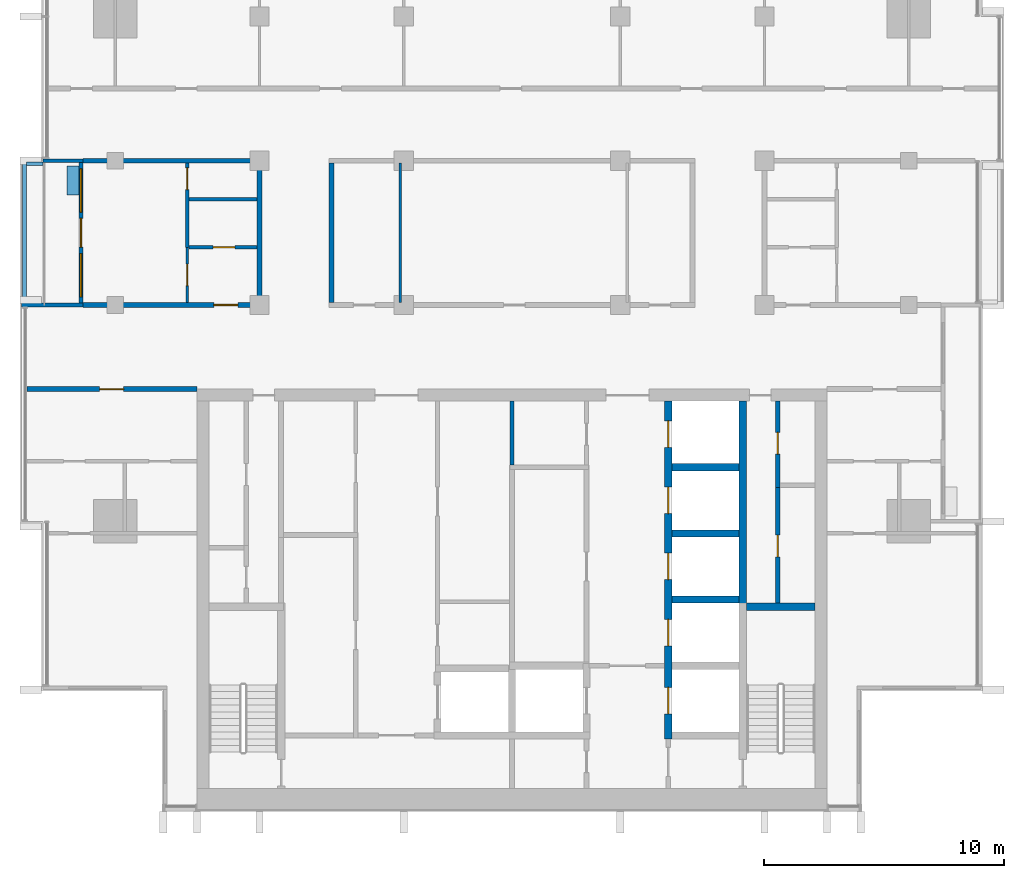
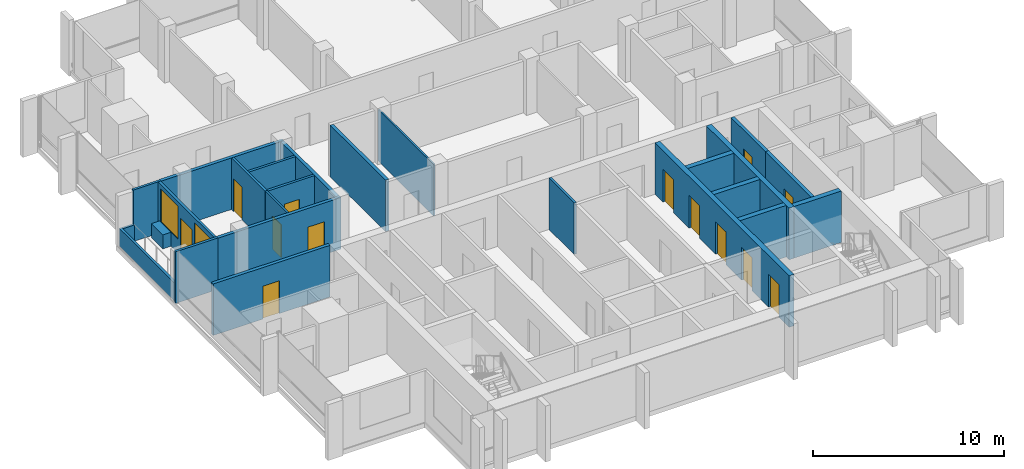
# One storey, part 8 of 15: 25 walls, 13 doors, 2 windows, 15 openings.
"""IFC4 building model written with IfcOpenShell, lengths in metres."""

from ifc_helpers import new_model, si_unit, direction, frame, frame_2d, origin, place, context, subcontext, project, spatial, rectangle, extrude, material, layer, layer_set, type_object, element, fill, save


model = new_model("IFC4")

# Units and contexts
model_context = context("Model", 3, precision=1e-05, world=origin(), true_north=direction((0.0, 1.0)))
body_context = subcontext(model_context, "Body", "Model", "MODEL_VIEW")
ifc_project = project(units=[si_unit("LENGTHUNIT", "METRE"), si_unit("AREAUNIT", "SQUARE_METRE"), si_unit("VOLUMEUNIT", "CUBIC_METRE"), si_unit("PLANEANGLEUNIT", "RADIAN"), si_unit("MASSUNIT", "GRAM", prefix="KILO")], contexts=[model_context])

# Site, building, storey
site_placement = place(None, origin())
site = spatial("IfcSite", under=ifc_project, at=site_placement, CompositionType="ELEMENT")
building_placement = place(site_placement, origin())
building = spatial("IfcBuilding", under=site, at=building_placement, Name="Finial Court Residences", CompositionType="ELEMENT")
storey_placement = place(building_placement, frame((0.0, 0.0, 266.300048828125)))
storey = spatial("IfcBuildingStorey", under=building, at=storey_placement, Name="L67", CompositionType="ELEMENT", Elevation=266.300048828125)

# Wall
ifc_material_1 = material(Name="Fire-rated gypsum board partition")
ifc_layer_1 = layer(ifc_material_1, 0.14990234375)
ifc_layer_set_1 = layer_set([ifc_layer_1], Name="Core room partition 150 EI 60")
wall_type_1 = type_object("IfcWallType", Name="Core room partition 150 EI 60", PredefinedType="PARTITIONING", material=ifc_layer_set_1)
wall_1_placement = place(storey_placement, frame((0.0, -11.14990234375, 0.0), z_axis=(0.0, 0.0, 1.0), x_axis=(0.0, 1.0, 0.0)))
element("IfcWall", 1, at=wall_1_placement, inside=storey, type_object=wall_type_1, Name="Core partition L67-31", PredefinedType="PARTITIONING", context=body_context, shape_type="SweptSolid", body=[
    extrude(rectangle(XDim=2.64990234375, YDim=0.14990234375, at=frame_2d((1.324951171875, 0.0))), origin(), (0.0, 0.0, 1.0), 3.300048828125),
])

# Wall, opening, door
ifc_material_2 = material(Name="Gypsum board")
ifc_layer_2 = layer(ifc_material_2, 0.02490234375)
ifc_material_3 = material(Name="Acoustic mineral wool in double frame")
ifc_layer_3 = layer(ifc_material_3, 0.14990234375)
ifc_layer_4 = layer(ifc_material_2, 0.02490234375)
ifc_layer_set_2 = layer_set([ifc_layer_2, ifc_layer_3, ifc_layer_4], Name="Corridor wall 200, 1 hour")
wall_type_2 = type_object("IfcWallType", Name="Corridor wall 200, 1 hour", PredefinedType="PARTITIONING", material=ifc_layer_set_2)
wall_2_placement = place(storey_placement, frame((-20.16259765625, -8.0, 0.0), z_axis=(0.0, 0.0, 1.0), x_axis=(1.0, 0.0, 0.0)))
wall_2 = element("IfcWall", 2, at=wall_2_placement, inside=storey, type_object=wall_type_2, Name="Partition L67-004", PredefinedType="PARTITIONING", context=body_context, shape_type="SweptSolid", body=[
    extrude(rectangle(XDim=7.0625, YDim=0.199951171875, at=frame_2d((3.53125, 0.0))), origin(), (0.0, 0.0, 1.0), 3.300048828125),
])
opening_1_placement = place(wall_2_placement, frame((3.012939453125, 0.0, 0.0)))
opening_1 = element("IfcOpeningElement", 3, at=opening_1_placement, cuts=wall_2, Name="Opening L67-D007", PredefinedType="OPENING", context=body_context, shape_type="SweptSolid", body=[
    extrude(rectangle(XDim=1.0, YDim=2.10009765625, at=frame_2d((0.5, 1.050048828125))), frame((0.0, 0.10986328125, 0.0), z_axis=(0.0, -1.0, 0.0), x_axis=(1.0, 0.0, 0.0)), (0.0, 0.0, 1.0), 0.219970703125),
])
ifc_material_4 = material(Name="Timber door leaf in hollow metal frame", Category="wood")
door_type_1 = type_object("IfcDoorType", Name="Fire door set 1000 x 2100, 30 minutes", OperationType="SINGLE_SWING_LEFT", PredefinedType="DOOR", material=ifc_material_4)
door_1_placement = place(opening_1_placement, origin())
door_1 = element("IfcDoor", 4, at=door_1_placement, inside=storey, type_object=door_type_1, Name="Door L67-D007", OperationType="SINGLE_SWING_LEFT", OverallHeight=2.10009765625, OverallWidth=1.0, PredefinedType="DOOR", context=body_context, shape_type="SweptSolid", body=[
    extrude(rectangle(XDim=1.0, YDim=2.10009765625, at=frame_2d((0.5, 1.050048828125))), frame((0.0, 0.02490234375, 0.0), z_axis=(0.0, -1.0, 0.0), x_axis=(1.0, 0.0, 0.0)), (0.0, 0.0, 1.0), 0.050048828125),
])
fill(opening_1, door_1)

wall_3_placement = place(storey_placement, frame((-17.85009765625, -4.5, 0.0), z_axis=(0.0, 0.0, 1.0), x_axis=(1.0, 0.0, 0.0)))
wall_3 = element("IfcWall", 5, at=wall_3_placement, inside=storey, type_object=wall_type_2, Name="Partition L67-006", PredefinedType="PARTITIONING", context=body_context, shape_type="SweptSolid", body=[
    extrude(rectangle(XDim=7.4501953125, YDim=0.199951171875, at=frame_2d((3.72509765625, 0.0))), origin(), (0.0, 0.0, 1.0), 3.300048828125),
])
opening_2_placement = place(wall_3_placement, frame((5.449951171875, 0.0, 0.0)))
opening_2 = element("IfcOpeningElement", 6, at=opening_2_placement, cuts=wall_3, Name="Opening L67-D009", PredefinedType="OPENING", context=body_context, shape_type="SweptSolid", body=[
    extrude(rectangle(XDim=1.0, YDim=2.10009765625, at=frame_2d((0.5, 1.050048828125))), frame((0.0, 0.10986328125, 0.0), z_axis=(0.0, -1.0, 0.0), x_axis=(1.0, 0.0, 0.0)), (0.0, 0.0, 1.0), 0.219970703125),
])
door_2_placement = place(opening_2_placement, origin())
door_2 = element("IfcDoor", 7, at=door_2_placement, inside=storey, type_object=door_type_1, Name="Door L67-D009", OperationType="SINGLE_SWING_LEFT", OverallHeight=2.10009765625, OverallWidth=1.0, PredefinedType="DOOR", context=body_context, shape_type="SweptSolid", body=[
    extrude(rectangle(XDim=1.0, YDim=2.10009765625, at=frame_2d((0.5, 1.050048828125))), frame((0.0, 0.02490234375, 0.0), z_axis=(0.0, -1.0, 0.0), x_axis=(1.0, 0.0, 0.0)), (0.0, 0.0, 1.0), 0.050048828125),
])
fill(opening_2, door_2)

# Walls
wall_4_placement = place(storey_placement, frame((-17.85009765625, 1.5, 0.0), z_axis=(0.0, 0.0, 1.0), x_axis=(1.0, 0.0, 0.0)))
element("IfcWall", 8, at=wall_4_placement, inside=storey, type_object=wall_type_2, Name="Partition L67-013", PredefinedType="PARTITIONING", context=body_context, shape_type="SweptSolid", body=[
    extrude(rectangle(XDim=7.4501953125, YDim=0.199951171875, at=frame_2d((3.72509765625, 0.0))), origin(), (0.0, 0.0, 1.0), 3.300048828125),
])
for number, where, z_axis, x_axis, name in (
    (9, (-10.5, -4.39990234375, 0.0), (0.0, 0.0, 1.0), (0.0, 1.0, 0.0), "Partition L67-021"),
    (10, (-7.5, -4.39990234375, 0.0), (0.0, 0.0, 1.0), (0.0, 1.0, 0.0), "Partition L67-023"),
):
    element("IfcWall", number, at=place(storey_placement, frame(where, z_axis=z_axis, x_axis=x_axis)), inside=storey, type_object=wall_type_2, Name=name, PredefinedType="PARTITIONING", context=body_context, shape_type="SweptSolid", body=[
        extrude(rectangle(XDim=5.7998046875, YDim=0.199951171875, at=frame_2d((2.89990234375, 0.0))), origin(), (0.0, 0.0, 1.0), 3.300048828125),
    ])

# Wall, opening, door
ifc_layer_5 = layer(ifc_material_2, 0.012451171875)
ifc_material_5 = material(Name="Mineral wool in light-gauge frame")
ifc_layer_6 = layer(ifc_material_5, 0.074951171875)
ifc_layer_7 = layer(ifc_material_2, 0.012451171875)
ifc_layer_set_3 = layer_set([ifc_layer_5, ifc_layer_6, ifc_layer_7], Name="Gypsum board partition 100")
wall_type_3 = type_object("IfcWallType", Name="Gypsum board partition 100", PredefinedType="PARTITIONING", material=ifc_layer_set_3)
wall_5_placement = place(storey_placement, frame((-13.5, -4.39990234375, 0.0), z_axis=(0.0, 0.0, 1.0), x_axis=(0.0, 1.0, 0.0)))
wall_5 = element("IfcWall", 11, at=wall_5_placement, inside=storey, type_object=wall_type_3, Name="Partition L67-019", PredefinedType="PARTITIONING", context=body_context, shape_type="SweptSolid", body=[
    extrude(rectangle(XDim=2.2998046875, YDim=0.10009765625, at=frame_2d((1.14990234375, 0.0))), origin(), (0.0, 0.0, 1.0), 3.300048828125),
])
opening_3_placement = place(wall_5_placement, frame((0.699951171875, 0.0, 0.0)))
opening_3 = element("IfcOpeningElement", 12, at=opening_3_placement, cuts=wall_5, Name="Opening L67-D023", PredefinedType="OPENING", context=body_context, shape_type="SweptSolid", body=[
    extrude(rectangle(XDim=0.89990234375, YDim=2.10009765625, at=frame_2d((0.449951171875, 1.050048828125))), frame((0.0, 0.06005859375, 0.0), z_axis=(0.0, -1.0, 0.0), x_axis=(1.0, 0.0, 0.0)), (0.0, 0.0, 1.0), 0.1201171875),
])
ifc_material_6 = material(Name="Timber door leaf in timber frame", Category="wood")
door_type_2 = type_object("IfcDoorType", Name="Door set 900 x 2100", OperationType="SINGLE_SWING_LEFT", PredefinedType="DOOR", material=ifc_material_6)
door_3_placement = place(opening_3_placement, origin())
door_3 = element("IfcDoor", 13, at=door_3_placement, inside=storey, type_object=door_type_2, Name="Door L67-D023", OperationType="SINGLE_SWING_LEFT", OverallHeight=2.10009765625, OverallWidth=0.89990234375, PredefinedType="DOOR", context=body_context, shape_type="SweptSolid", body=[
    extrude(rectangle(XDim=0.89990234375, YDim=2.10009765625, at=frame_2d((0.449951171875, 1.050048828125))), frame((0.0, 0.02490234375, 0.0), z_axis=(0.0, -1.0, 0.0), x_axis=(1.0, 0.0, 0.0)), (0.0, 0.0, 1.0), 0.050048828125),
])
fill(opening_3, door_3)

# Wall
wall_6_placement = place(storey_placement, frame((-4.64990234375, -4.39990234375, 0.0), z_axis=(0.0, 0.0, 1.0), x_axis=(0.0, 1.0, 0.0)))
element("IfcWall", 14, at=wall_6_placement, inside=storey, type_object=wall_type_3, Name="Partition L67-024", PredefinedType="PARTITIONING", context=body_context, shape_type="SweptSolid", body=[
    extrude(rectangle(XDim=5.7998046875, YDim=0.10009765625, at=frame_2d((2.89990234375, 0.0))), origin(), (0.0, 0.0, 1.0), 3.300048828125),
])

# Wall, opening, door
ifc_material_7 = material(Name="Moisture-resistant gypsum board")
ifc_layer_8 = layer(ifc_material_7, 0.012451171875)
ifc_layer_9 = layer(ifc_material_5, 0.125)
ifc_layer_10 = layer(ifc_material_7, 0.012451171875)
ifc_layer_set_4 = layer_set([ifc_layer_8, ifc_layer_9, ifc_layer_10], Name="Gypsum board wet-area partition 150")
wall_type_4 = type_object("IfcWallType", Name="Gypsum board wet-area partition 150", PredefinedType="PARTITIONING", material=ifc_layer_set_4)
wall_7_placement = place(storey_placement, frame((-13.425048828125, -2.10009765625, 0.0), z_axis=(0.0, 0.0, 1.0), x_axis=(1.0, 0.0, 0.0)))
wall_7 = element("IfcWall", 15, at=wall_7_placement, inside=storey, type_object=wall_type_4, Name="Partition L67-009", PredefinedType="PARTITIONING", context=body_context, shape_type="SweptSolid", body=[
    extrude(rectangle(XDim=2.824951171875, YDim=0.14990234375, at=frame_2d((1.41259765625, 0.0))), origin(), (0.0, 0.0, 1.0), 3.300048828125),
])
opening_4_placement = place(wall_7_placement, frame((1.0, 0.0, 0.0)))
opening_4 = element("IfcOpeningElement", 16, at=opening_4_placement, cuts=wall_7, Name="Opening L67-D014", PredefinedType="OPENING", context=body_context, shape_type="SweptSolid", body=[
    extrude(rectangle(XDim=0.89990234375, YDim=2.10009765625, at=frame_2d((0.449951171875, 1.050048828125))), frame((0.0, 0.0849609375, 0.0), z_axis=(0.0, -1.0, 0.0), x_axis=(1.0, 0.0, 0.0)), (0.0, 0.0, 1.0), 0.169921875),
])
door_4_placement = place(opening_4_placement, origin())
door_4 = element("IfcDoor", 17, at=door_4_placement, inside=storey, type_object=door_type_2, Name="Door L67-D014", OperationType="SINGLE_SWING_RIGHT", OverallHeight=2.10009765625, OverallWidth=0.89990234375, PredefinedType="DOOR", context=body_context, shape_type="SweptSolid", body=[
    extrude(rectangle(XDim=0.89990234375, YDim=2.10009765625, at=frame_2d((0.449951171875, 1.050048828125))), frame((0.0, 0.02490234375, 0.0), z_axis=(0.0, -1.0, 0.0), x_axis=(1.0, 0.0, 0.0)), (0.0, 0.0, 1.0), 0.050048828125),
])
fill(opening_4, door_4)

# Wall
wall_8_placement = place(storey_placement, frame((-13.425048828125, -0.10009765625, 0.0), z_axis=(0.0, 0.0, 1.0), x_axis=(1.0, 0.0, 0.0)))
element("IfcWall", 18, at=wall_8_placement, inside=storey, type_object=wall_type_4, Name="Partition L67-011", PredefinedType="PARTITIONING", context=body_context, shape_type="SweptSolid", body=[
    extrude(rectangle(XDim=2.824951171875, YDim=0.14990234375, at=frame_2d((1.41259765625, 0.0))), origin(), (0.0, 0.0, 1.0), 3.300048828125),
])

# Wall, opening, door
wall_9_placement = place(storey_placement, frame((-13.5, -2.10009765625, 0.0), z_axis=(0.0, 0.0, 1.0), x_axis=(0.0, 1.0, 0.0)))
wall_9 = element("IfcWall", 19, at=wall_9_placement, inside=storey, type_object=wall_type_4, Name="Partition L67-020", PredefinedType="PARTITIONING", context=body_context, shape_type="SweptSolid", body=[
    extrude(rectangle(XDim=3.5, YDim=0.14990234375, at=frame_2d((1.75, 0.0))), origin(), (0.0, 0.0, 1.0), 3.300048828125),
])
opening_5_placement = place(wall_9_placement, frame((2.39990234375, 0.0, 0.0)))
opening_5 = element("IfcOpeningElement", 20, at=opening_5_placement, cuts=wall_9, Name="Opening L67-D024", PredefinedType="OPENING", context=body_context, shape_type="SweptSolid", body=[
    extrude(rectangle(XDim=0.89990234375, YDim=2.10009765625, at=frame_2d((0.449951171875, 1.050048828125))), frame((0.0, 0.0849609375, 0.0), z_axis=(0.0, -1.0, 0.0), x_axis=(1.0, 0.0, 0.0)), (0.0, 0.0, 1.0), 0.169921875),
])
door_5_placement = place(opening_5_placement, origin())
door_5 = element("IfcDoor", 21, at=door_5_placement, inside=storey, type_object=door_type_2, Name="Door L67-D024", OperationType="SINGLE_SWING_RIGHT", OverallHeight=2.10009765625, OverallWidth=0.89990234375, PredefinedType="DOOR", context=body_context, shape_type="SweptSolid", body=[
    extrude(rectangle(XDim=0.89990234375, YDim=2.10009765625, at=frame_2d((0.449951171875, 1.050048828125))), frame((0.0, 0.02490234375, 0.0), z_axis=(0.0, -1.0, 0.0), x_axis=(1.0, 0.0, 0.0)), (0.0, 0.0, 1.0), 0.050048828125),
])
fill(opening_5, door_5)

# Walls
ifc_material_8 = material(Name="Concrete C35/45", Category="concrete")
ifc_layer_11 = layer(ifc_material_8, 0.14990234375)
ifc_layer_set_5 = layer_set([ifc_layer_11], Name="Ledge parapet, Concrete C35/45 150")
wall_type_5 = type_object("IfcWallType", Name="Ledge parapet, Concrete C35/45 150", PredefinedType="PARAPET", material=ifc_layer_set_5)
wall_10_placement = place(storey_placement, frame((-20.27490234375, -4.489990234375, 0.0), z_axis=(0.0, 0.0, 1.0), x_axis=(0.0, 1.0, 0.0)))
element("IfcWall", 22, at=wall_10_placement, inside=storey, type_object=wall_type_5, Name="E-L67-LED1-P1", PredefinedType="PARAPET", context=body_context, shape_type="SweptSolid", body=[
    extrude(rectangle(XDim=5.93994140625, YDim=0.14990234375, at=frame_2d((2.969970703125, 0.0))), origin(), (0.0, 0.0, 1.0), 1.14990234375),
])
wall_11_placement = place(storey_placement, frame((-20.199951171875, 1.375, 0.0), z_axis=(0.0, 0.0, 1.0), x_axis=(1.0, 0.0, 0.0)))
element("IfcWall", 23, at=wall_11_placement, inside=storey, type_object=wall_type_5, Name="E-L67-LED1-P2", PredefinedType="PARAPET", context=body_context, shape_type="SweptSolid", body=[
    extrude(rectangle(XDim=0.68994140625, YDim=0.14990234375, at=frame_2d((0.344970703125, 0.0))), origin(), (0.0, 0.0, 1.0), 1.14990234375),
])
ifc_material_9 = material(Name="Concrete C50/60", Category="concrete")
ifc_layer_12 = layer(ifc_material_9, 0.300048828125)
ifc_layer_set_6 = layer_set([ifc_layer_12], Name="Lift shaft and stair wall 300 Concrete C50/60")
wall_type_6 = type_object("IfcWallType", Name="Lift shaft and stair wall 300 Concrete C50/60", PredefinedType="SHEAR", material=ifc_layer_set_6)
wall_12_placement = place(storey_placement, frame((9.75, -17.050048828125, 0.0), z_axis=(0.0, 0.0, 1.0), x_axis=(1.0, 0.0, 0.0)))
element("IfcWall", 24, at=wall_12_placement, inside=storey, type_object=wall_type_6, Name="Core wall L67-10", PredefinedType="SHEAR", context=body_context, shape_type="SweptSolid", body=[
    extrude(rectangle(XDim=2.85009765625, YDim=0.300048828125, at=frame_2d((1.425048828125, 0.0))), origin(), (0.0, 0.0, 1.0), 3.300048828125),
])
for number, where, z_axis, x_axis, name in (
    (25, (6.64990234375, -16.75, 0.0), (0.0, 0.0, 1.0), (1.0, 0.0, 0.0), "Core wall L67-12"),
    (26, (6.64990234375, -14.0, 0.0), (0.0, 0.0, 1.0), (1.0, 0.0, 0.0), "Core wall L67-15"),
    (27, (6.64990234375, -11.25, 0.0), (0.0, 0.0, 1.0), (1.0, 0.0, 0.0), "Core wall L67-18"),
):
    element("IfcWall", number, at=place(storey_placement, frame(where, z_axis=z_axis, x_axis=x_axis)), inside=storey, type_object=wall_type_6, Name=name, PredefinedType="SHEAR", context=body_context, shape_type="SweptSolid", body=[
        extrude(rectangle(XDim=2.800048828125, YDim=0.300048828125, at=frame_2d((1.39990234375, 0.0))), origin(), (0.0, 0.0, 1.0), 3.300048828125),
    ])

# Wall, openings, doors
wall_13_placement = place(storey_placement, frame((6.5, -22.550048828125, 0.0), z_axis=(0.0, 0.0, 1.0), x_axis=(0.0, 1.0, 0.0)))
wall_13 = element("IfcWall", 28, at=wall_13_placement, inside=storey, type_object=wall_type_6, Name="Core wall L67-37", PredefinedType="SHEAR", context=body_context, shape_type="SweptSolid", body=[
    extrude(rectangle(XDim=14.050048828125, YDim=0.300048828125, at=frame_2d((7.02490234375, 0.0))), origin(), (0.0, 0.0, 1.0), 3.300048828125),
])
opening_6_placement = place(wall_13_placement, frame((1.050048828125, 0.0, 0.0)))
opening_6 = element("IfcOpeningElement", 29, at=opening_6_placement, cuts=wall_13, Name="Opening L67-LD02", PredefinedType="OPENING", context=body_context, shape_type="SweptSolid", body=[
    extrude(rectangle(XDim=1.10009765625, YDim=2.10009765625, at=frame_2d((0.550048828125, 1.050048828125))), frame((0.0, 0.159912109375, 0.0), z_axis=(0.0, -1.0, 0.0), x_axis=(1.0, 0.0, 0.0)), (0.0, 0.0, 1.0), 0.320068359375),
])
opening_7_placement = place(wall_13_placement, frame((3.875, 0.0, 0.0)))
opening_7 = element("IfcOpeningElement", 30, at=opening_7_placement, cuts=wall_13, Name="Opening L67-LD03", PredefinedType="OPENING", context=body_context, shape_type="SweptSolid", body=[
    extrude(rectangle(XDim=1.10009765625, YDim=2.10009765625, at=frame_2d((0.550048828125, 1.050048828125))), frame((0.0, 0.159912109375, 0.0), z_axis=(0.0, -1.0, 0.0), x_axis=(1.0, 0.0, 0.0)), (0.0, 0.0, 1.0), 0.320068359375),
])
opening_8_placement = place(wall_13_placement, frame((6.625, 0.0, 0.0)))
opening_8 = element("IfcOpeningElement", 31, at=opening_8_placement, cuts=wall_13, Name="Opening L67-LD04", PredefinedType="OPENING", context=body_context, shape_type="SweptSolid", body=[
    extrude(rectangle(XDim=1.10009765625, YDim=2.10009765625, at=frame_2d((0.550048828125, 1.050048828125))), frame((0.0, 0.159912109375, 0.0), z_axis=(0.0, -1.0, 0.0), x_axis=(1.0, 0.0, 0.0)), (0.0, 0.0, 1.0), 0.320068359375),
])
opening_9_placement = place(wall_13_placement, frame((9.375, 0.0, 0.0)))
opening_9 = element("IfcOpeningElement", 32, at=opening_9_placement, cuts=wall_13, Name="Opening L67-LD05", PredefinedType="OPENING", context=body_context, shape_type="SweptSolid", body=[
    extrude(rectangle(XDim=1.10009765625, YDim=2.10009765625, at=frame_2d((0.550048828125, 1.050048828125))), frame((0.0, 0.159912109375, 0.0), z_axis=(0.0, -1.0, 0.0), x_axis=(1.0, 0.0, 0.0)), (0.0, 0.0, 1.0), 0.320068359375),
])
opening_10_placement = place(wall_13_placement, frame((12.125, 0.0, 0.0)))
opening_10 = element("IfcOpeningElement", 33, at=opening_10_placement, cuts=wall_13, Name="Opening L67-LD06", PredefinedType="OPENING", context=body_context, shape_type="SweptSolid", body=[
    extrude(rectangle(XDim=1.10009765625, YDim=2.10009765625, at=frame_2d((0.550048828125, 1.050048828125))), frame((0.0, 0.159912109375, 0.0), z_axis=(0.0, -1.0, 0.0), x_axis=(1.0, 0.0, 0.0)), (0.0, 0.0, 1.0), 0.320068359375),
])
ifc_material_10 = material(Name="Stainless steel lift door", Category="steel")
door_type_3 = type_object("IfcDoorType", Name="Lift landing door 1100 x 2100 EI 90", OperationType="DOUBLE_DOOR_SLIDING", PredefinedType="DOOR", material=ifc_material_10)
door_6_placement = place(opening_6_placement, origin())
door_6 = element("IfcDoor", 34, at=door_6_placement, inside=storey, type_object=door_type_3, Name="Lift landing door FF2 L67", OperationType="DOUBLE_DOOR_SLIDING", OverallHeight=2.10009765625, OverallWidth=1.10009765625, PredefinedType="DOOR", context=body_context, shape_type="SweptSolid", body=[
    extrude(rectangle(XDim=1.10009765625, YDim=2.10009765625, at=frame_2d((0.550048828125, 1.050048828125))), frame((0.0, 0.02490234375, 0.0), z_axis=(0.0, -1.0, 0.0), x_axis=(1.0, 0.0, 0.0)), (0.0, 0.0, 1.0), 0.050048828125),
])
fill(opening_6, door_6)
door_7_placement = place(opening_7_placement, origin())
door_7 = element("IfcDoor", 35, at=door_7_placement, inside=storey, type_object=door_type_3, Name="Lift landing door HR5 L67", OperationType="DOUBLE_DOOR_SLIDING", OverallHeight=2.10009765625, OverallWidth=1.10009765625, PredefinedType="DOOR", context=body_context, shape_type="SweptSolid", body=[
    extrude(rectangle(XDim=1.10009765625, YDim=2.10009765625, at=frame_2d((0.550048828125, 1.050048828125))), frame((0.0, 0.02490234375, 0.0), z_axis=(0.0, -1.0, 0.0), x_axis=(1.0, 0.0, 0.0)), (0.0, 0.0, 1.0), 0.050048828125),
])
fill(opening_7, door_7)
door_8_placement = place(opening_8_placement, origin())
door_8 = element("IfcDoor", 36, at=door_8_placement, inside=storey, type_object=door_type_3, Name="Lift landing door HR6 L67", OperationType="DOUBLE_DOOR_SLIDING", OverallHeight=2.10009765625, OverallWidth=1.10009765625, PredefinedType="DOOR", context=body_context, shape_type="SweptSolid", body=[
    extrude(rectangle(XDim=1.10009765625, YDim=2.10009765625, at=frame_2d((0.550048828125, 1.050048828125))), frame((0.0, 0.02490234375, 0.0), z_axis=(0.0, -1.0, 0.0), x_axis=(1.0, 0.0, 0.0)), (0.0, 0.0, 1.0), 0.050048828125),
])
fill(opening_8, door_8)
door_9_placement = place(opening_9_placement, origin())
door_9 = element("IfcDoor", 37, at=door_9_placement, inside=storey, type_object=door_type_3, Name="Lift landing door HR7 L67", OperationType="DOUBLE_DOOR_SLIDING", OverallHeight=2.10009765625, OverallWidth=1.10009765625, PredefinedType="DOOR", context=body_context, shape_type="SweptSolid", body=[
    extrude(rectangle(XDim=1.10009765625, YDim=2.10009765625, at=frame_2d((0.550048828125, 1.050048828125))), frame((0.0, 0.02490234375, 0.0), z_axis=(0.0, -1.0, 0.0), x_axis=(1.0, 0.0, 0.0)), (0.0, 0.0, 1.0), 0.050048828125),
])
fill(opening_9, door_9)
door_10_placement = place(opening_10_placement, origin())
door_10 = element("IfcDoor", 38, at=door_10_placement, inside=storey, type_object=door_type_3, Name="Lift landing door HR8 L67", OperationType="DOUBLE_DOOR_SLIDING", OverallHeight=2.10009765625, OverallWidth=1.10009765625, PredefinedType="DOOR", context=body_context, shape_type="SweptSolid", body=[
    extrude(rectangle(XDim=1.10009765625, YDim=2.10009765625, at=frame_2d((0.550048828125, 1.050048828125))), frame((0.0, 0.02490234375, 0.0), z_axis=(0.0, -1.0, 0.0), x_axis=(1.0, 0.0, 0.0)), (0.0, 0.0, 1.0), 0.050048828125),
])
fill(opening_10, door_10)

# Walls
wall_14_placement = place(storey_placement, frame((9.60009765625, -17.199951171875, 0.0), z_axis=(0.0, 0.0, 1.0), x_axis=(0.0, 1.0, 0.0)))
element("IfcWall", 39, at=wall_14_placement, inside=storey, type_object=wall_type_6, Name="Core wall L67-39", PredefinedType="SHEAR", context=body_context, shape_type="SweptSolid", body=[
    extrude(rectangle(XDim=8.699951171875, YDim=0.300048828125, at=frame_2d((4.35009765625, 0.0))), origin(), (0.0, 0.0, 1.0), 3.300048828125),
])
ifc_material_11 = material(Name="Natural limestone", Category="masonry")
ifc_layer_13 = layer(ifc_material_11, 0.14990234375)
ifc_layer_set_7 = layer_set([ifc_layer_13], Name="Limestone clad wall 150")
wall_type_7 = type_object("IfcWallType", Name="Limestone clad wall 150", PredefinedType="SOLIDWALL", material=ifc_layer_set_7)
wall_15_placement = place(storey_placement, frame((-17.85009765625, -4.5, 0.0), z_axis=(0.0, 0.0, 1.0), x_axis=(-1.0, 0.0, 0.0)))
element("IfcWall", 40, at=wall_15_placement, inside=storey, type_object=wall_type_7, Name="E-L67-BALW3-P1", PredefinedType="SOLIDWALL", context=body_context, shape_type="SweptSolid", body=[
    extrude(rectangle(XDim=2.5498046875, YDim=0.14990234375, at=frame_2d((1.27490234375, 0.0))), origin(), (0.0, 0.0, 1.0), 3.300048828125),
])
wall_16_placement = place(storey_placement, frame((-17.85009765625, 1.5, 0.0), z_axis=(0.0, 0.0, 1.0), x_axis=(-1.0, 0.0, 0.0)))
element("IfcWall", 41, at=wall_16_placement, inside=storey, type_object=wall_type_7, Name="E-L67-BALW3-P2", PredefinedType="SOLIDWALL", context=body_context, shape_type="SweptSolid", body=[
    extrude(rectangle(XDim=1.64990234375, YDim=0.14990234375, at=frame_2d((0.824951171875, 0.0))), origin(), (0.0, 0.0, 1.0), 3.300048828125),
])

# Wall, openings, door, windows
wall_17_placement = place(storey_placement, frame((-17.925048828125, -4.425048828125, 0.0), z_axis=(0.0, 0.0, 1.0), x_axis=(0.0, 1.0, 0.0)))
wall_17 = element("IfcWall", 42, at=wall_17_placement, inside=storey, type_object=wall_type_7, Name="E-L67-L67-BALW3-W", PredefinedType="SOLIDWALL", context=body_context, shape_type="SweptSolid", body=[
    extrude(rectangle(XDim=5.85009765625, YDim=0.14990234375, at=frame_2d((2.925048828125, 0.0))), origin(), (0.0, 0.0, 1.0), 3.300048828125),
])
opening_11_placement = place(wall_17_placement, frame((2.324951171875, 0.0, 0.0)))
opening_11 = element("IfcOpeningElement", 43, at=opening_11_placement, cuts=wall_17, Name="Opening DE67-02", PredefinedType="OPENING", context=body_context, shape_type="SweptSolid", body=[
    extrude(rectangle(XDim=1.199951171875, YDim=2.39990234375, at=frame_2d((0.60009765625, 1.199951171875))), frame((0.0, 0.0849609375, 0.0), z_axis=(0.0, -1.0, 0.0), x_axis=(1.0, 0.0, 0.0)), (0.0, 0.0, 1.0), 0.169921875),
])
opening_12_placement = place(wall_17_placement, frame((0.262451171875, 0.0, 0.89990234375)))
opening_12 = element("IfcOpeningElement", 44, at=opening_12_placement, cuts=wall_17, Name="Opening WE67-13", PredefinedType="OPENING", context=body_context, shape_type="SweptSolid", body=[
    extrude(rectangle(XDim=1.800048828125, YDim=2.10009765625, at=frame_2d((0.89990234375, 1.050048828125))), frame((0.0, 0.0849609375, 0.0), z_axis=(0.0, -1.0, 0.0), x_axis=(1.0, 0.0, 0.0)), (0.0, 0.0, 1.0), 0.169921875),
])
opening_13_placement = place(wall_17_placement, frame((3.78759765625, 0.0, 0.89990234375)))
opening_13 = element("IfcOpeningElement", 45, at=opening_13_placement, cuts=wall_17, Name="Opening WE67-14", PredefinedType="OPENING", context=body_context, shape_type="SweptSolid", body=[
    extrude(rectangle(XDim=1.800048828125, YDim=2.10009765625, at=frame_2d((0.89990234375, 1.050048828125))), frame((0.0, 0.0849609375, 0.0), z_axis=(0.0, -1.0, 0.0), x_axis=(1.0, 0.0, 0.0)), (0.0, 0.0, 1.0), 0.169921875),
])
ifc_material_12 = material(Name="Bronze anodised aluminium", Category="aluminium")
door_type_4 = type_object("IfcDoorType", Name="Balcony door 1200 x 2400", OperationType="SINGLE_SWING_LEFT", PredefinedType="DOOR", material=ifc_material_12)
door_11_placement = place(opening_11_placement, origin())
door_11 = element("IfcDoor", 46, at=door_11_placement, inside=storey, type_object=door_type_4, Name="E-L67-L67-BALW3-W-D", OperationType="SINGLE_SWING_LEFT", OverallHeight=2.39990234375, OverallWidth=1.199951171875, PredefinedType="DOOR", context=body_context, shape_type="SweptSolid", body=[
    extrude(rectangle(XDim=1.199951171875, YDim=2.39990234375, at=frame_2d((0.60009765625, 1.199951171875))), frame((0.0, 0.02490234375, 0.0), z_axis=(0.0, -1.0, 0.0), x_axis=(1.0, 0.0, 0.0)), (0.0, 0.0, 1.0), 0.050048828125),
])
fill(opening_11, door_11)
ifc_material_13 = material(Name="Clear low-e glass", Category="glass")
window_type = type_object("IfcWindowType", Name="Balcony window 1800 x 2100", PartitioningType="SINGLE_PANEL", PredefinedType="WINDOW", material=ifc_material_13)
window_1_placement = place(opening_12_placement, origin())
window_1 = element("IfcWindow", 47, at=window_1_placement, inside=storey, type_object=window_type, Name="E-L67-L67-BALW3-W-W1", OverallHeight=2.10009765625, OverallWidth=1.800048828125, PartitioningType="SINGLE_PANEL", PredefinedType="WINDOW", context=body_context, shape_type="SweptSolid", body=[
    extrude(rectangle(XDim=1.800048828125, YDim=2.10009765625, at=frame_2d((0.89990234375, 1.050048828125))), frame((0.0, 0.030029296875, 0.0), z_axis=(0.0, -1.0, 0.0), x_axis=(1.0, 0.0, 0.0)), (0.0, 0.0, 1.0), 0.06005859375),
])
fill(opening_12, window_1)
window_2_placement = place(opening_13_placement, origin())
window_2 = element("IfcWindow", 48, at=window_2_placement, inside=storey, type_object=window_type, Name="E-L67-L67-BALW3-W-W2", OverallHeight=2.10009765625, OverallWidth=1.800048828125, PartitioningType="SINGLE_PANEL", PredefinedType="WINDOW", context=body_context, shape_type="SweptSolid", body=[
    extrude(rectangle(XDim=1.800048828125, YDim=2.10009765625, at=frame_2d((0.89990234375, 1.050048828125))), frame((0.0, 0.030029296875, 0.0), z_axis=(0.0, -1.0, 0.0), x_axis=(1.0, 0.0, 0.0)), (0.0, 0.0, 1.0), 0.06005859375),
])
fill(opening_13, window_2)

# Wall
ifc_material_14 = material(Name="Concrete C40/50", Category="concrete")
ifc_layer_14 = layer(ifc_material_14, 0.10009765625)
ifc_material_15 = material(Name="Planting soil", Category="soil")
ifc_layer_15 = layer(ifc_material_15, 0.300048828125)
ifc_layer_16 = layer(ifc_material_14, 0.10009765625)
ifc_layer_set_8 = layer_set([ifc_layer_14, ifc_layer_15, ifc_layer_16], Name="Planter wall, balcony")
wall_type_8 = type_object("IfcWallType", Name="Planter wall, balcony", PredefinedType="USERDEFINED", material=ifc_layer_set_8)
wall_18_placement = place(storey_placement, frame((-18.25, 0.074951171875, 0.0), z_axis=(0.0, 0.0, 1.0), x_axis=(0.0, 1.0, 0.0)))
element("IfcWall", 49, at=wall_18_placement, inside=storey, type_object=wall_type_8, Name="E-L67-BALW3-PL", ObjectType="PLANTER", PredefinedType="USERDEFINED", context=body_context, shape_type="SweptSolid", body=[
    extrude(rectangle(XDim=1.199951171875, YDim=0.5, at=frame_2d((0.60009765625, 0.0))), origin(), (0.0, 0.0, 1.0), 0.89990234375),
])

# Wall, opening, door
ifc_layer_17 = layer(ifc_material_1, 0.199951171875)
ifc_layer_set_9 = layer_set([ifc_layer_17], Name="Riser room wall 200 EI 120")
wall_type_9 = type_object("IfcWallType", Name="Riser room wall 200 EI 120", PredefinedType="PARTITIONING", material=ifc_layer_set_9)
wall_19_placement = place(storey_placement, frame((11.050048828125, -8.5, 0.0), z_axis=(0.0, 0.0, 1.0), x_axis=(0.0, -1.0, 0.0)))
wall_19 = element("IfcWall", 50, at=wall_19_placement, inside=storey, type_object=wall_type_9, Name="Core partition L67-41", PredefinedType="PARTITIONING", context=body_context, shape_type="SweptSolid", body=[
    extrude(rectangle(XDim=3.60009765625, YDim=0.199951171875, at=frame_2d((1.800048828125, 0.0))), origin(), (0.0, 0.0, 1.0), 3.300048828125),
])
opening_14_placement = place(wall_19_placement, frame((1.300048828125, 0.0, 0.0)))
opening_14 = element("IfcOpeningElement", 51, at=opening_14_placement, cuts=wall_19, Name="Opening L67-C08", PredefinedType="OPENING", context=body_context, shape_type="SweptSolid", body=[
    extrude(rectangle(XDim=0.89990234375, YDim=2.10009765625, at=frame_2d((0.449951171875, 1.050048828125))), frame((0.0, 0.10986328125, 0.0), z_axis=(0.0, -1.0, 0.0), x_axis=(1.0, 0.0, 0.0)), (0.0, 0.0, 1.0), 0.219970703125),
])
ifc_material_16 = material(Name="Steel fire door", Category="steel")
door_type_5 = type_object("IfcDoorType", Name="Riser room door 900 x 2100 EI 90", OperationType="NOTDEFINED", PredefinedType="DOOR", material=ifc_material_16)
door_12_placement = place(opening_14_placement, origin())
door_12 = element("IfcDoor", 52, at=door_12_placement, inside=storey, type_object=door_type_5, Name="Riser room door L67-C08", OperationType="SINGLE_SWING_RIGHT", OverallHeight=2.10009765625, OverallWidth=0.89990234375, PredefinedType="DOOR", context=body_context, shape_type="SweptSolid", body=[
    extrude(rectangle(XDim=0.89990234375, YDim=2.10009765625, at=frame_2d((0.449951171875, 1.050048828125))), frame((0.0, 0.02490234375, 0.0), z_axis=(0.0, -1.0, 0.0), x_axis=(1.0, 0.0, 0.0)), (0.0, 0.0, 1.0), 0.050048828125),
])
fill(opening_14, door_12)

ifc_layer_18 = layer(ifc_material_1, 0.199951171875)
ifc_layer_set_10 = layer_set([ifc_layer_18], Name="Stair passage wall 200 EI 180")
wall_type_10 = type_object("IfcWallType", Name="Stair passage wall 200 EI 180", PredefinedType="PARTITIONING", material=ifc_layer_set_10)
wall_20_placement = place(storey_placement, frame((11.050048828125, -11.89990234375, 0.0), z_axis=(0.0, 0.0, 1.0), x_axis=(0.0, -1.0, 0.0)))
wall_20 = element("IfcWall", 53, at=wall_20_placement, inside=storey, type_object=wall_type_10, Name="Core partition L67-40", PredefinedType="PARTITIONING", context=body_context, shape_type="SweptSolid", body=[
    extrude(rectangle(XDim=5.0, YDim=0.199951171875, at=frame_2d((2.5, 0.0))), origin(), (0.0, 0.0, 1.0), 3.300048828125),
])
opening_15_placement = place(wall_20_placement, frame((2.175048828125, 0.0, 0.0)))
opening_15 = element("IfcOpeningElement", 54, at=opening_15_placement, cuts=wall_20, Name="Opening L67-C14", PredefinedType="OPENING", context=body_context, shape_type="SweptSolid", body=[
    extrude(rectangle(XDim=0.89990234375, YDim=2.10009765625, at=frame_2d((0.449951171875, 1.050048828125))), frame((0.0, 0.10986328125, 0.0), z_axis=(0.0, -1.0, 0.0), x_axis=(1.0, 0.0, 0.0)), (0.0, 0.0, 1.0), 0.219970703125),
])
door_type_6 = type_object("IfcDoorType", Name="Core room door 900 x 2100 EI 60", OperationType="NOTDEFINED", PredefinedType="DOOR", material=ifc_material_16)
door_13_placement = place(opening_15_placement, origin())
door_13 = element("IfcDoor", 55, at=door_13_placement, inside=storey, type_object=door_type_6, Name="Core room door L67-C14", OperationType="SINGLE_SWING_RIGHT", OverallHeight=2.10009765625, OverallWidth=0.89990234375, PredefinedType="DOOR", context=body_context, shape_type="SweptSolid", body=[
    extrude(rectangle(XDim=0.89990234375, YDim=2.10009765625, at=frame_2d((0.449951171875, 1.050048828125))), frame((0.0, 0.02490234375, 0.0), z_axis=(0.0, -1.0, 0.0), x_axis=(1.0, 0.0, 0.0)), (0.0, 0.0, 1.0), 0.050048828125),
])
fill(opening_15, door_13)

save(model, "model.ifc")
